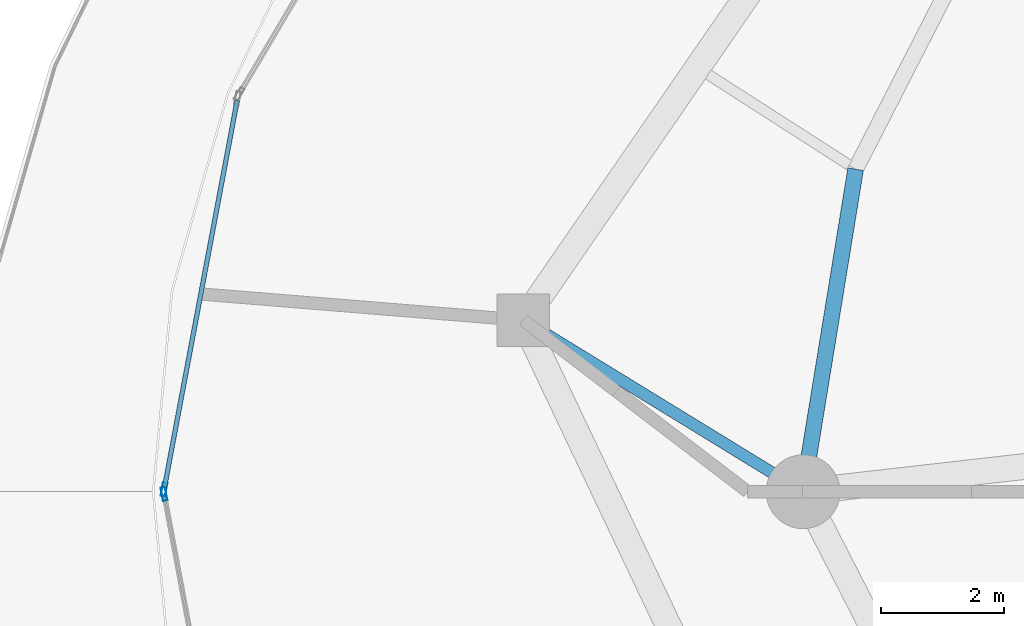
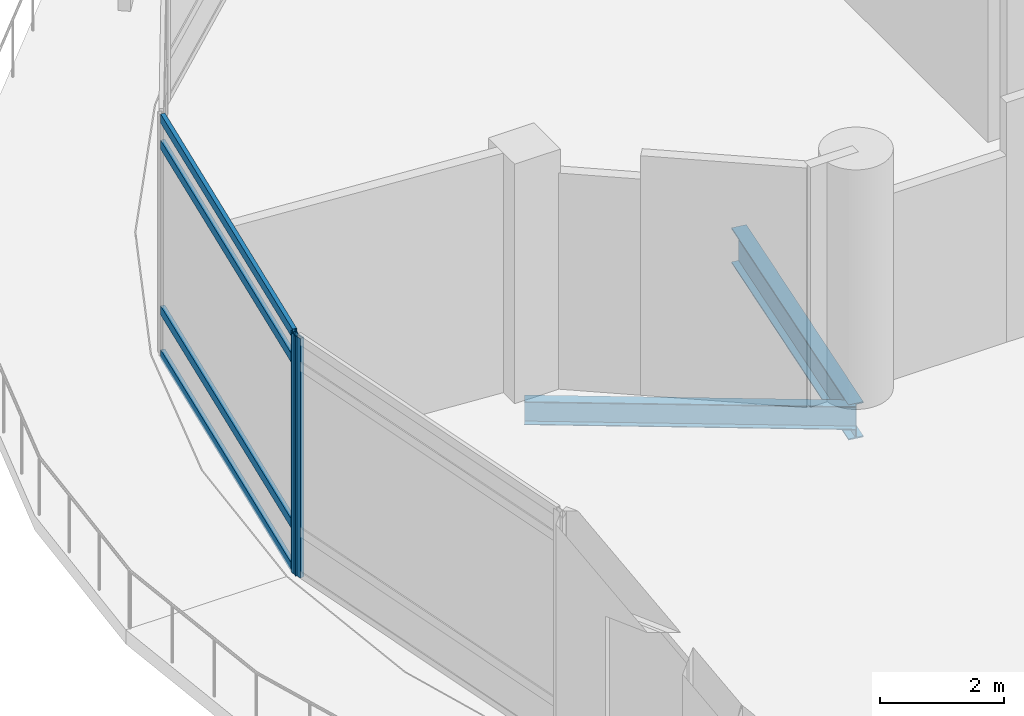
# One storey, part 7 of 36: 6 members, 2 beams, 2 elements without a shape of their own.
"""IFC4 building model written with IfcOpenShell, lengths in metres."""

import ifcopenshell
import ifcopenshell.guid

model = None  # the IFC model being written
_history = None  # IfcOwnerHistory: only IFC2X3 demands one
_inside = {}  # id of a spatial element -> (the spatial element, [elements in it])
_under = {}  # id of a project, library or spatial element -> (it, [spatial elements below it])
_declared = {}  # id of a project -> (the project, [libraries it declares])
_typed = {}  # id of a type object -> (the type object, [elements of that type])
_made_of = {}  # id of a material, layer set ... -> (it, [elements and type objects made of it])


def new_model(schema):
    """Start an empty IFC model of exactly this schema.

    Asked for "IFC4X3", IfcOpenShell would pick the latest addendum, in which some entities
    have other attributes; the version numbers below select the first issue.
    IFC2X3 requires an IfcOwnerHistory on every rooted entity: one is made here for all.
    """
    global model, _history
    if schema == "IFC4X3":
        model = ifcopenshell.file(schema_version=(4, 3, 0, 0))
    else:
        model = ifcopenshell.file(schema=schema)
    _inside.clear()
    _under.clear()
    _declared.clear()
    _typed.clear()
    _made_of.clear()
    _history = None
    if model.schema == "IFC2X3":
        org = make("IfcOrganization", Name="unknown")
        user = make(
            "IfcPersonAndOrganization",
            ThePerson=make("IfcPerson", FamilyName="unknown"),
            TheOrganization=org,
        )
        app = make(
            "IfcApplication",
            ApplicationDeveloper=org,
            Version="unknown",
            ApplicationFullName="unknown",
            ApplicationIdentifier="unknown",
        )
        _history = make(
            "IfcOwnerHistory",
            OwningUser=user,
            OwningApplication=app,
            ChangeAction="ADDED",
            CreationDate=0,
        )
    return model


def make(cls, **values):
    """One entity of the class cls with the attributes given. An attribute that is None is left unset."""
    return model.create_entity(
        cls, **{name: value for name, value in values.items() if value is not None}
    )


def rooted(cls, **values):
    """An entity with a GlobalId (a new one), such as an element, a storey or a relation."""
    return make(cls, GlobalId=ifcopenshell.guid.new(), OwnerHistory=_history, **values)


def si_unit(unit_type, name, prefix=None):
    """IfcSIUnit, for example si_unit("LENGTHUNIT", "METRE", prefix="MILLI")."""
    return make("IfcSIUnit", UnitType=unit_type, Prefix=prefix, Name=name)


def assignment(units):
    """IfcUnitAssignment: the units of a project."""
    return None if units is None else make("IfcUnitAssignment", Units=units)


def point(xyz):
    """IfcCartesianPoint."""
    return None if xyz is None else make("IfcCartesianPoint", Coordinates=xyz)


def direction(xyz):
    """IfcDirection."""
    return None if xyz is None else make("IfcDirection", DirectionRatios=xyz)


def frame(location, z_axis=None, x_axis=None):
    """IfcAxis2Placement3D, a coordinate frame: its origin and axes. An axis left out is left unset."""
    return make(
        "IfcAxis2Placement3D",
        Location=point(location),
        Axis=direction(z_axis),
        RefDirection=direction(x_axis),
    )


def frame_2d(location, x_axis=None):
    """IfcAxis2Placement2D, a coordinate frame in the plane: its origin and x axis."""
    return make(
        "IfcAxis2Placement2D", Location=point(location), RefDirection=direction(x_axis)
    )


def origin():
    """The frame at (0, 0, 0) with its axes left unset."""
    return frame((0.0, 0.0, 0.0))


def origin_2d():
    """The frame at (0, 0) in the plane with its x axis left unset."""
    return frame_2d((0.0, 0.0))


def place(relative_to, where):
    """IfcLocalPlacement: puts the frame where relative to a parent placement (None: the world)."""
    return make(
        "IfcLocalPlacement", PlacementRelTo=relative_to, RelativePlacement=where
    )


def context(
    kind, dimensions, precision=None, world=None, true_north=None, identifier=None
):
    """IfcGeometricRepresentationContext, for example the 3D "Model" context."""
    return make(
        "IfcGeometricRepresentationContext",
        ContextIdentifier=identifier,
        ContextType=kind,
        CoordinateSpaceDimension=dimensions,
        Precision=precision,
        WorldCoordinateSystem=world,
        TrueNorth=true_north,
    )


def subcontext(parent, identifier, kind, view, scale=None):
    """IfcGeometricRepresentationSubContext, for example "Body" below "Model"."""
    return make(
        "IfcGeometricRepresentationSubContext",
        ContextIdentifier=identifier,
        ContextType=kind,
        ParentContext=parent,
        TargetScale=scale,
        TargetView=view,
    )


def project(units=None, contexts=None):
    """IfcProject with its units and contexts."""
    return rooted(
        "IfcProject",
        Name="project",
        RepresentationContexts=contexts,
        UnitsInContext=assignment(units),
    )


def spatial(cls, under=None, at=None, **own):
    """A site, building, storey or space (cls), placed at a placement, below another one or the project."""
    s = rooted(cls, ObjectPlacement=at, **own)
    if under is not None:
        _under.setdefault(under.id(), (under, []))[1].append(s)
    return s


def profile(cls, at=None, kind="AREA", **sizes):
    """A parametric profile (cls). Its sizes go by their IFC names, for example OverallWidth=200.0."""
    return make(cls, ProfileType=kind, Position=at, **sizes)


def hollow_rectangle(**sizes):
    """IfcRectangleHollowProfileDef."""
    return profile("IfcRectangleHollowProfileDef", **sizes)


def i_section(**sizes):
    """IfcIShapeProfileDef."""
    return profile("IfcIShapeProfileDef", **sizes)


def extrude(swept, where, along, depth):
    """IfcExtrudedAreaSolid: the profile swept, set in the frame where, extruded along a direction by depth."""
    return make(
        "IfcExtrudedAreaSolid",
        SweptArea=swept,
        Position=where,
        ExtrudedDirection=direction(along),
        Depth=depth,
    )


def shape(context_of_items, identifier, shape_type, items):
    """IfcShapeRepresentation: the items that make up one representation, for example the "Body"."""
    return make(
        "IfcShapeRepresentation",
        ContextOfItems=context_of_items,
        RepresentationIdentifier=identifier,
        RepresentationType=shape_type,
        Items=items,
    )


def material(Name=None, Category=None):
    """IfcMaterial."""
    return make("IfcMaterial", Name=Name, Category=Category)


def layer(
    of_material, thickness, ventilated=None, Name=None, Category=None, Priority=None
):
    """IfcMaterialLayer: one layer of a wall or slab, of a material (None: an air gap)."""
    return make(
        "IfcMaterialLayer",
        Material=of_material,
        LayerThickness=thickness,
        IsVentilated=ventilated,
        Name=Name,
        Category=Category,
        Priority=Priority,
    )


def layer_set(layers, Name=None):
    """IfcMaterialLayerSet."""
    return make("IfcMaterialLayerSet", MaterialLayers=layers, LayerSetName=Name)


def material_profile(
    of_material, cross_section, Name=None, Category=None, Priority=None
):
    """IfcMaterialProfile: a cross section and its material."""
    return make(
        "IfcMaterialProfile",
        Name=Name,
        Material=of_material,
        Profile=cross_section,
        Priority=Priority,
        Category=Category,
    )


def profile_set(profiles, Name=None, composite=None):
    """IfcMaterialProfileSet."""
    return make(
        "IfcMaterialProfileSet",
        Name=Name,
        MaterialProfiles=profiles,
        CompositeProfile=composite,
    )


def made_of(thing, what):
    """Note that an element or type object is made of a material, layer set ...; save() writes the relation."""
    if what is not None:
        _made_of.setdefault(what.id(), (what, []))[1].append(thing)
    return thing


def type_object(cls, material=None, **own):
    """A type object (cls), such as IfcWallType, which elements share."""
    return made_of(rooted(cls, **own), material)


def element(
    cls,
    number,
    at=None,
    inside=None,
    cuts=None,
    type_object=None,
    material=None,
    context=None,
    identifier="Body",
    shape_type=None,
    held_by="IfcProductDefinitionShape",
    body=None,
    shapes=None,
    **own,
):
    """One element of the class cls, such as IfcWall. Its Tag is "e" and its number.

    at: its placement. inside: the storey or other place that contains it. cuts: it is an
    opening in that element (IfcRelVoidsElement). A single representation is given by context,
    identifier, shape_type and body (its items); several are given by shapes. held_by: the class
    of the entity that holds the representations. save() writes the other relations.
    """
    e = rooted(cls, Tag="e%d" % number, ObjectPlacement=at, **own)
    if body is not None:
        shapes = [shape(context, identifier, shape_type, body)]
    if shapes is not None:
        e.Representation = make(held_by, Representations=shapes)
    if inside is not None:
        _inside.setdefault(inside.id(), (inside, []))[1].append(e)
    if cuts is not None:
        rooted(
            "IfcRelVoidsElement", RelatingBuildingElement=cuts, RelatedOpeningElement=e
        )
    if type_object is not None:
        _typed.setdefault(type_object.id(), (type_object, []))[1].append(e)
    return made_of(e, material)


def aggregate(whole, parts):
    """IfcRelAggregates: a whole, such as a stair, and the parts it consists of."""
    return rooted("IfcRelAggregates", RelatingObject=whole, RelatedObjects=parts)


def save(model, path):
    """Write the relations noted so far, then the file.

    IfcRelAggregates (storeys below a building ...), IfcRelContainedInSpatialStructure (elements
    in a storey), IfcRelDefinesByType, IfcRelAssociatesMaterial and IfcRelDeclares: one each for
    every whole, place, type object, material and project.
    """
    for whole, parts in _under.values():
        aggregate(whole, parts)
    for where, things in _inside.values():
        rooted(
            "IfcRelContainedInSpatialStructure",
            RelatedElements=things,
            RelatingStructure=where,
        )
    for kind, things in _typed.values():
        rooted("IfcRelDefinesByType", RelatedObjects=things, RelatingType=kind)
    for what, things in _made_of.values():
        rooted("IfcRelAssociatesMaterial", RelatedObjects=things, RelatingMaterial=what)
    for by, libraries in _declared.values():
        rooted("IfcRelDeclares", RelatingContext=by, RelatedDefinitions=libraries)
    model.write(path)


model = new_model("IFC4")

# Units and contexts
model_context = context("Model", 3, precision=1e-05, world=origin(), true_north=direction((0.0, 1.0)))
body_context = subcontext(model_context, "Body", "Model", "MODEL_VIEW")
ifc_project = project(units=[si_unit("LENGTHUNIT", "METRE"), si_unit("AREAUNIT", "SQUARE_METRE"), si_unit("VOLUMEUNIT", "CUBIC_METRE"), si_unit("PLANEANGLEUNIT", "RADIAN"), si_unit("MASSUNIT", "GRAM", prefix="KILO")], contexts=[model_context])

# Site, building, storey
site_placement = place(None, origin())
site = spatial("IfcSite", under=ifc_project, at=site_placement, CompositionType="ELEMENT")
building_placement = place(site_placement, origin())
building = spatial("IfcBuilding", under=site, at=building_placement, Name="Nuhasar Tower", CompositionType="ELEMENT")
storey_placement = place(building_placement, frame((0.0, 0.0, 11.0)))
storey = spatial("IfcBuildingStorey", under=building, at=storey_placement, Name="L02", CompositionType="ELEMENT", Elevation=11.0)

# Beams
ifc_material_1 = material(Name="Steel S355", Category="steel")
ifc_material_profile_1 = material_profile(ifc_material_1, i_section(OverallWidth=0.18994140625, OverallDepth=0.45703125, WebThickness=0.009033203125, FlangeThickness=0.014404296875, at=origin_2d()), Name="W18X50")
ifc_profile_set_1 = profile_set([ifc_material_profile_1], Name="Steel S355")
beam_type_1 = type_object("IfcBeamType", Name="BM-RAD-W18X50", PredefinedType="BEAM", material=ifc_profile_set_1)
beam_1_placement = place(storey_placement, frame((13.949951171875, 26.800048828125, -0.529052734375), z_axis=(-0.852495272032, 0.522734933941, 0.0), x_axis=(-0.522734933941, -0.852495272032, 0.0)))
element("IfcBeam", 1, at=beam_1_placement, inside=storey, type_object=beam_type_1, Name="L02 Podium Radial Girder 08", PredefinedType="BEAM", context=body_context, shape_type="SweptSolid", body=[
    extrude(i_section(OverallWidth=0.18994140625, OverallDepth=0.45703125, WebThickness=0.009033203125, FlangeThickness=0.014404296875, at=origin_2d()), origin(), (0.0, 0.0, 1.0), 5.331298828125),
])
ifc_material_profile_2 = material_profile(ifc_material_1, i_section(OverallWidth=0.256103515625, OverallDepth=0.693115234375, WebThickness=0.014404296875, FlangeThickness=0.023681640625, at=origin_2d()), Name="W27X114")
ifc_profile_set_2 = profile_set([ifc_material_profile_2], Name="Steel S355")
beam_type_2 = type_object("IfcBeamType", Name="BM-RING-W27X114", PredefinedType="SPANDREL", material=ifc_profile_set_2)
beam_2_placement = place(storey_placement, frame((14.803955078125, 32.041015625, -0.64697265625), z_axis=(-0.160826635486, -0.986982671235, 0.0), x_axis=(0.986982671235, -0.160826635486, 0.0)))
element("IfcBeam", 2, at=beam_2_placement, inside=storey, type_object=beam_type_2, Name="L02 Mega-Column Perimeter Ring Spandrel 07-3", PredefinedType="SPANDREL", context=body_context, shape_type="SweptSolid", body=[
    extrude(i_section(OverallWidth=0.256103515625, OverallDepth=0.693115234375, WebThickness=0.014404296875, FlangeThickness=0.023681640625, at=origin_2d()), origin(), (0.0, 0.0, 1.0), 5.31005859375),
])

# Curtain wall, member
ifc_material_2 = material(Name="Aluminium 6063-T6", Category="aluminium")
ifc_layer = layer(ifc_material_2, 0.219970703125)
ifc_layer_set = layer_set([ifc_layer], Name="Aluminium 6063-T6")
curtain_wall_type = type_object("IfcCurtainWallType", Name="CW-PODIUM", PredefinedType="NOTDEFINED", material=ifc_layer_set)
curtain_wall_1_placement = place(storey_placement, origin())
curtain_wall_1 = element("IfcCurtainWall", 3, at=curtain_wall_1_placement, inside=storey, type_object=curtain_wall_type, Name="L02 Podium Curtain Wall Bay 12", PredefinedType="NOTDEFINED")
ifc_material_profile_3 = material_profile(ifc_material_2, hollow_rectangle(XDim=0.074951171875, YDim=0.219970703125, WallThickness=0.0048828125, at=origin_2d()), Name="CWM-1")
ifc_profile_set_3 = profile_set([ifc_material_profile_3], Name="Aluminium 6063-T6")
member_type_1 = type_object("IfcMemberType", Name="CW-MUL-S1", PredefinedType="MULLION", material=ifc_profile_set_3)
member_1_placement = place(storey_placement, frame((3.56689453125, 26.8369140625, 0.0), z_axis=(0.0, 0.0, 1.0), x_axis=(0.982801159334, -0.184666946725, 0.0)))
member_1 = element("IfcMember", 4, at=member_1_placement, type_object=member_type_1, Name="CW-P1 mullion 2", PredefinedType="MULLION", context=body_context, shape_type="SweptSolid", body=[
    extrude(hollow_rectangle(XDim=0.074951171875, YDim=0.219970703125, WallThickness=0.0048828125, at=origin_2d()), origin(), (0.0, 0.0, 1.0), 4.699951171875),
])

curtain_wall_2_placement = place(storey_placement, origin())
curtain_wall_2 = element("IfcCurtainWall", 5, at=curtain_wall_2_placement, inside=storey, type_object=curtain_wall_type, Name="L02 Podium Curtain Wall Bay 13", PredefinedType="NOTDEFINED")
member_2_placement = place(storey_placement, frame((3.56689453125, 26.76318359375, 0.0), z_axis=(0.0, 0.0, 1.0), x_axis=(0.982801159334, 0.184666946725, 0.0)))
member_2 = element("IfcMember", 6, at=member_2_placement, type_object=member_type_1, Name="CW-P1 mullion 1", PredefinedType="MULLION", context=body_context, shape_type="SweptSolid", body=[
    extrude(hollow_rectangle(XDim=0.074951171875, YDim=0.219970703125, WallThickness=0.0048828125, at=origin_2d()), origin(), (0.0, 0.0, 1.0), 4.699951171875),
])
aggregate(curtain_wall_2, [member_2])

# Member
ifc_material_profile_4 = material_profile(ifc_material_2, hollow_rectangle(XDim=0.074951171875, YDim=0.179931640625, WallThickness=0.00439453125, at=origin_2d()), Name="CWT-1")
ifc_profile_set_4 = profile_set([ifc_material_profile_4], Name="Aluminium 6063-T6")
member_type_2 = type_object("IfcMemberType", Name="CW-TRN-S1", PredefinedType="USERDEFINED", material=ifc_profile_set_4)
member_3_placement = place(storey_placement, frame((4.754150390625, 33.1552734375, 0.03759765625), z_axis=(-0.184687509174, -0.982797295456, 0.0), x_axis=(0.982797295456, -0.184687509174, 0.0)))
member_3 = element("IfcMember", 7, at=member_3_placement, type_object=member_type_2, Name="CW-P1 transom 1.1", ObjectType="TRANSOM", PredefinedType="USERDEFINED", context=body_context, shape_type="SweptSolid", body=[
    extrude(hollow_rectangle(XDim=0.074951171875, YDim=0.179931640625, WallThickness=0.00439453125, at=origin_2d()), origin(), (0.0, 0.0, 1.0), 6.391357421875),
])

member_4_placement = place(storey_placement, frame((4.754150390625, 33.1552734375, 0.89990234375), z_axis=(-0.184687509174, -0.982797295456, 0.0), x_axis=(0.982797295456, -0.184687509174, 0.0)))
member_4 = element("IfcMember", 8, at=member_4_placement, type_object=member_type_2, Name="CW-P1 transom 1.2", ObjectType="TRANSOM", PredefinedType="USERDEFINED", context=body_context, shape_type="SweptSolid", body=[
    extrude(hollow_rectangle(XDim=0.074951171875, YDim=0.179931640625, WallThickness=0.00439453125, at=origin_2d()), origin(), (0.0, 0.0, 1.0), 6.391357421875),
])

member_5_placement = place(storey_placement, frame((4.754150390625, 33.1552734375, 4.14990234375), z_axis=(-0.184687509174, -0.982797295456, 0.0), x_axis=(0.982797295456, -0.184687509174, 0.0)))
member_5 = element("IfcMember", 9, at=member_5_placement, type_object=member_type_2, Name="CW-P1 transom 1.3", ObjectType="TRANSOM", PredefinedType="USERDEFINED", context=body_context, shape_type="SweptSolid", body=[
    extrude(hollow_rectangle(XDim=0.074951171875, YDim=0.179931640625, WallThickness=0.00439453125, at=origin_2d()), origin(), (0.0, 0.0, 1.0), 6.391357421875),
])

member_6_placement = place(storey_placement, frame((4.754150390625, 33.1552734375, 4.66259765625), z_axis=(-0.184687509174, -0.982797295456, 0.0), x_axis=(0.982797295456, -0.184687509174, 0.0)))
member_6 = element("IfcMember", 10, at=member_6_placement, type_object=member_type_2, Name="CW-P1 transom 1.4", ObjectType="TRANSOM", PredefinedType="USERDEFINED", context=body_context, shape_type="SweptSolid", body=[
    extrude(hollow_rectangle(XDim=0.074951171875, YDim=0.179931640625, WallThickness=0.00439453125, at=origin_2d()), origin(), (0.0, 0.0, 1.0), 6.391357421875),
])

aggregate(curtain_wall_1, [member_1, member_3, member_4, member_5, member_6])

save(model, "model.ifc")
